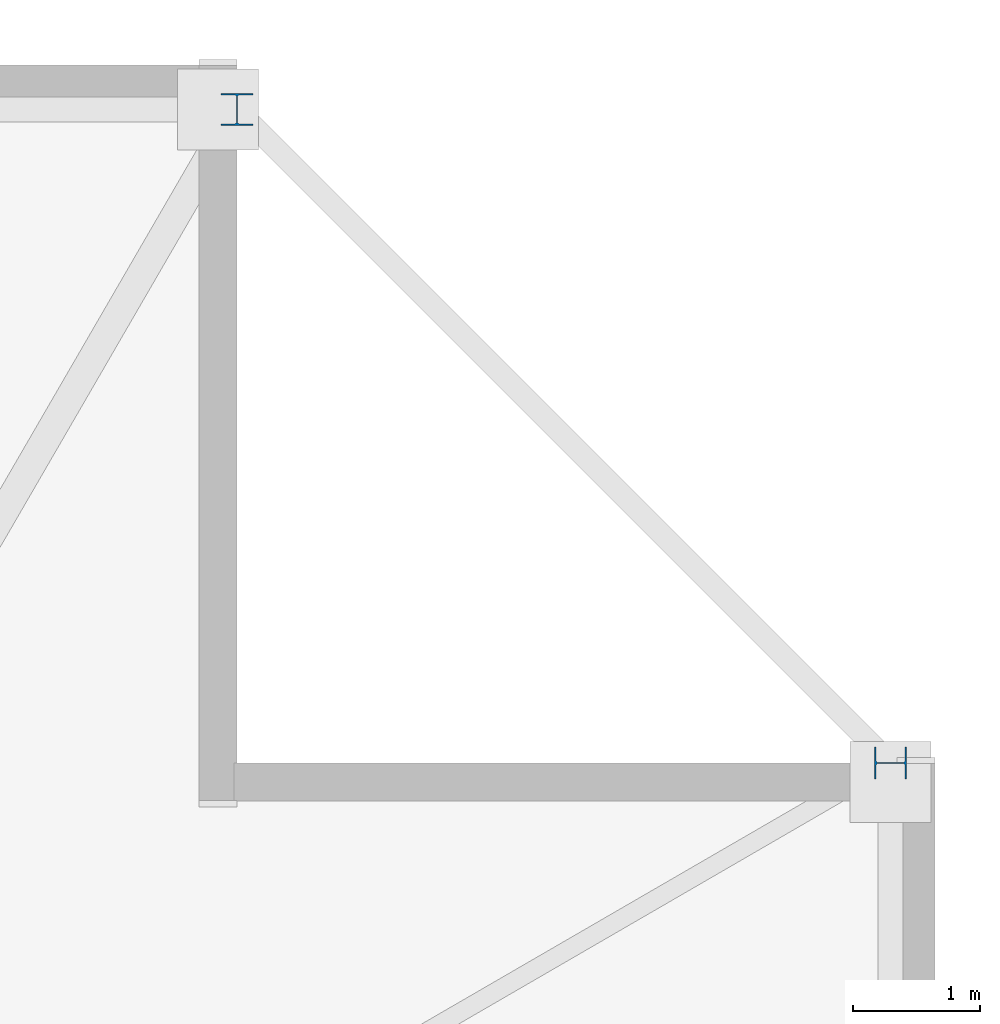
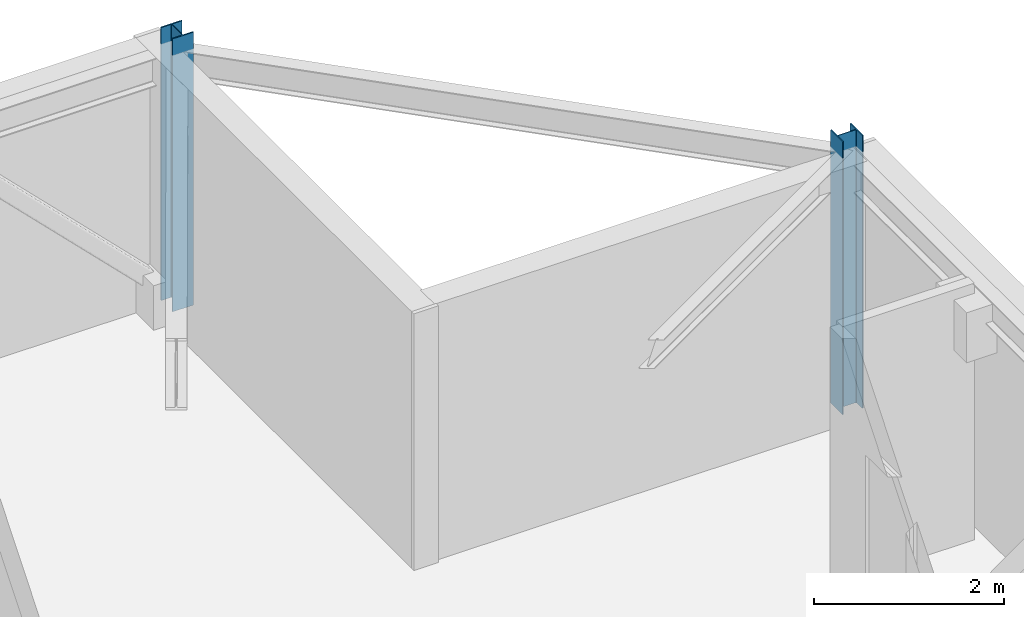
# One storey, part 5 of 14: 2 columns.
"""IFC4 building model written with IfcOpenShell, lengths in metres."""

import ifcopenshell
import ifcopenshell.guid

model = None  # the IFC model being written
_history = None  # IfcOwnerHistory: only IFC2X3 demands one
_inside = {}  # id of a spatial element -> (the spatial element, [elements in it])
_under = {}  # id of a project, library or spatial element -> (it, [spatial elements below it])
_declared = {}  # id of a project -> (the project, [libraries it declares])
_typed = {}  # id of a type object -> (the type object, [elements of that type])
_made_of = {}  # id of a material, layer set ... -> (it, [elements and type objects made of it])


def new_model(schema):
    """Start an empty IFC model of exactly this schema.

    Asked for "IFC4X3", IfcOpenShell would pick the latest addendum, in which some entities
    have other attributes; the version numbers below select the first issue.
    IFC2X3 requires an IfcOwnerHistory on every rooted entity: one is made here for all.
    """
    global model, _history
    if schema == "IFC4X3":
        model = ifcopenshell.file(schema_version=(4, 3, 0, 0))
    else:
        model = ifcopenshell.file(schema=schema)
    _inside.clear()
    _under.clear()
    _declared.clear()
    _typed.clear()
    _made_of.clear()
    _history = None
    if model.schema == "IFC2X3":
        org = make("IfcOrganization", Name="unknown")
        user = make(
            "IfcPersonAndOrganization",
            ThePerson=make("IfcPerson", FamilyName="unknown"),
            TheOrganization=org,
        )
        app = make(
            "IfcApplication",
            ApplicationDeveloper=org,
            Version="unknown",
            ApplicationFullName="unknown",
            ApplicationIdentifier="unknown",
        )
        _history = make(
            "IfcOwnerHistory",
            OwningUser=user,
            OwningApplication=app,
            ChangeAction="ADDED",
            CreationDate=0,
        )
    return model


def make(cls, **values):
    """One entity of the class cls with the attributes given. An attribute that is None is left unset."""
    return model.create_entity(
        cls, **{name: value for name, value in values.items() if value is not None}
    )


def rooted(cls, **values):
    """An entity with a GlobalId (a new one), such as an element, a storey or a relation."""
    return make(cls, GlobalId=ifcopenshell.guid.new(), OwnerHistory=_history, **values)


def si_unit(unit_type, name, prefix=None):
    """IfcSIUnit, for example si_unit("LENGTHUNIT", "METRE", prefix="MILLI")."""
    return make("IfcSIUnit", UnitType=unit_type, Prefix=prefix, Name=name)


def assignment(units):
    """IfcUnitAssignment: the units of a project."""
    return None if units is None else make("IfcUnitAssignment", Units=units)


def point(xyz):
    """IfcCartesianPoint."""
    return None if xyz is None else make("IfcCartesianPoint", Coordinates=xyz)


def direction(xyz):
    """IfcDirection."""
    return None if xyz is None else make("IfcDirection", DirectionRatios=xyz)


def frame(location, z_axis=None, x_axis=None):
    """IfcAxis2Placement3D, a coordinate frame: its origin and axes. An axis left out is left unset."""
    return make(
        "IfcAxis2Placement3D",
        Location=point(location),
        Axis=direction(z_axis),
        RefDirection=direction(x_axis),
    )


def frame_2d(location, x_axis=None):
    """IfcAxis2Placement2D, a coordinate frame in the plane: its origin and x axis."""
    return make(
        "IfcAxis2Placement2D", Location=point(location), RefDirection=direction(x_axis)
    )


def origin():
    """The frame at (0, 0, 0) with its axes left unset."""
    return frame((0.0, 0.0, 0.0))


def origin_2d():
    """The frame at (0, 0) in the plane with its x axis left unset."""
    return frame_2d((0.0, 0.0))


def place(relative_to, where):
    """IfcLocalPlacement: puts the frame where relative to a parent placement (None: the world)."""
    return make(
        "IfcLocalPlacement", PlacementRelTo=relative_to, RelativePlacement=where
    )


def context(
    kind, dimensions, precision=None, world=None, true_north=None, identifier=None
):
    """IfcGeometricRepresentationContext, for example the 3D "Model" context."""
    return make(
        "IfcGeometricRepresentationContext",
        ContextIdentifier=identifier,
        ContextType=kind,
        CoordinateSpaceDimension=dimensions,
        Precision=precision,
        WorldCoordinateSystem=world,
        TrueNorth=true_north,
    )


def subcontext(parent, identifier, kind, view, scale=None):
    """IfcGeometricRepresentationSubContext, for example "Body" below "Model"."""
    return make(
        "IfcGeometricRepresentationSubContext",
        ContextIdentifier=identifier,
        ContextType=kind,
        ParentContext=parent,
        TargetScale=scale,
        TargetView=view,
    )


def project(units=None, contexts=None):
    """IfcProject with its units and contexts."""
    return rooted(
        "IfcProject",
        Name="project",
        RepresentationContexts=contexts,
        UnitsInContext=assignment(units),
    )


def spatial(cls, under=None, at=None, **own):
    """A site, building, storey or space (cls), placed at a placement, below another one or the project."""
    s = rooted(cls, ObjectPlacement=at, **own)
    if under is not None:
        _under.setdefault(under.id(), (under, []))[1].append(s)
    return s


def profile(cls, at=None, kind="AREA", **sizes):
    """A parametric profile (cls). Its sizes go by their IFC names, for example OverallWidth=200.0."""
    return make(cls, ProfileType=kind, Position=at, **sizes)


def i_section(**sizes):
    """IfcIShapeProfileDef."""
    return profile("IfcIShapeProfileDef", **sizes)


def extrude(swept, where, along, depth):
    """IfcExtrudedAreaSolid: the profile swept, set in the frame where, extruded along a direction by depth."""
    return make(
        "IfcExtrudedAreaSolid",
        SweptArea=swept,
        Position=where,
        ExtrudedDirection=direction(along),
        Depth=depth,
    )


def shape(context_of_items, identifier, shape_type, items):
    """IfcShapeRepresentation: the items that make up one representation, for example the "Body"."""
    return make(
        "IfcShapeRepresentation",
        ContextOfItems=context_of_items,
        RepresentationIdentifier=identifier,
        RepresentationType=shape_type,
        Items=items,
    )


def material(Name=None, Category=None):
    """IfcMaterial."""
    return make("IfcMaterial", Name=Name, Category=Category)


def material_profile(
    of_material, cross_section, Name=None, Category=None, Priority=None
):
    """IfcMaterialProfile: a cross section and its material."""
    return make(
        "IfcMaterialProfile",
        Name=Name,
        Material=of_material,
        Profile=cross_section,
        Priority=Priority,
        Category=Category,
    )


def profile_set(profiles, Name=None, composite=None):
    """IfcMaterialProfileSet."""
    return make(
        "IfcMaterialProfileSet",
        Name=Name,
        MaterialProfiles=profiles,
        CompositeProfile=composite,
    )


def made_of(thing, what):
    """Note that an element or type object is made of a material, layer set ...; save() writes the relation."""
    if what is not None:
        _made_of.setdefault(what.id(), (what, []))[1].append(thing)
    return thing


def type_object(cls, material=None, **own):
    """A type object (cls), such as IfcWallType, which elements share."""
    return made_of(rooted(cls, **own), material)


def element(
    cls,
    number,
    at=None,
    inside=None,
    cuts=None,
    type_object=None,
    material=None,
    context=None,
    identifier="Body",
    shape_type=None,
    held_by="IfcProductDefinitionShape",
    body=None,
    shapes=None,
    **own,
):
    """One element of the class cls, such as IfcWall. Its Tag is "e" and its number.

    at: its placement. inside: the storey or other place that contains it. cuts: it is an
    opening in that element (IfcRelVoidsElement). A single representation is given by context,
    identifier, shape_type and body (its items); several are given by shapes. held_by: the class
    of the entity that holds the representations. save() writes the other relations.
    """
    e = rooted(cls, Tag="e%d" % number, ObjectPlacement=at, **own)
    if body is not None:
        shapes = [shape(context, identifier, shape_type, body)]
    if shapes is not None:
        e.Representation = make(held_by, Representations=shapes)
    if inside is not None:
        _inside.setdefault(inside.id(), (inside, []))[1].append(e)
    if cuts is not None:
        rooted(
            "IfcRelVoidsElement", RelatingBuildingElement=cuts, RelatedOpeningElement=e
        )
    if type_object is not None:
        _typed.setdefault(type_object.id(), (type_object, []))[1].append(e)
    return made_of(e, material)


def aggregate(whole, parts):
    """IfcRelAggregates: a whole, such as a stair, and the parts it consists of."""
    return rooted("IfcRelAggregates", RelatingObject=whole, RelatedObjects=parts)


def save(model, path):
    """Write the relations noted so far, then the file.

    IfcRelAggregates (storeys below a building ...), IfcRelContainedInSpatialStructure (elements
    in a storey), IfcRelDefinesByType, IfcRelAssociatesMaterial and IfcRelDeclares: one each for
    every whole, place, type object, material and project.
    """
    for whole, parts in _under.values():
        aggregate(whole, parts)
    for where, things in _inside.values():
        rooted(
            "IfcRelContainedInSpatialStructure",
            RelatedElements=things,
            RelatingStructure=where,
        )
    for kind, things in _typed.values():
        rooted("IfcRelDefinesByType", RelatedObjects=things, RelatingType=kind)
    for what, things in _made_of.values():
        rooted("IfcRelAssociatesMaterial", RelatedObjects=things, RelatingMaterial=what)
    for by, libraries in _declared.values():
        rooted("IfcRelDeclares", RelatingContext=by, RelatedDefinitions=libraries)
    model.write(path)


model = new_model("IFC4")

# Units and contexts
model_context = context("Model", 3, precision=1e-05, world=origin(), true_north=direction((0.0, 1.0)))
body_context = subcontext(model_context, "Body", "Model", "MODEL_VIEW")
ifc_project = project(units=[si_unit("LENGTHUNIT", "METRE"), si_unit("AREAUNIT", "SQUARE_METRE"), si_unit("VOLUMEUNIT", "CUBIC_METRE"), si_unit("PLANEANGLEUNIT", "RADIAN"), si_unit("MASSUNIT", "GRAM", prefix="KILO")], contexts=[model_context])

# Site, building, storey
site_placement = place(None, origin())
site = spatial("IfcSite", under=ifc_project, at=site_placement, CompositionType="ELEMENT")
building_placement = place(site_placement, origin())
building = spatial("IfcBuilding", under=site, at=building_placement, Name="Cairnveth Concourse Tower", CompositionType="ELEMENT")
storey_placement = place(building_placement, frame((0.0, 0.0, 301.5)))
storey = spatial("IfcBuildingStorey", under=building, at=storey_placement, Name="L83", CompositionType="ELEMENT", Elevation=301.5)

# Columns
ifc_material = material(Name="Steel Grade 350", Category="steel")
ifc_material_profile = material_profile(ifc_material, i_section(OverallWidth=0.25390625, OverallDepth=0.25390625, WebThickness=0.008544921875, FlangeThickness=0.01416015625, FilletRadius=0.012939453125, at=origin_2d()), Name="250UC72.9")
ifc_profile_set = profile_set([ifc_material_profile], Name="Steel Grade 350")
column_type = type_object("IfcColumnType", Name="UNIVERSAL STEEL COLUMN 250UC72.9", PredefinedType="COLUMN", material=ifc_profile_set)
for number, where, z_axis, x_axis, name in (
    (1, (72.64990234375, 54.5, 0.0), (0.0, 0.0, 1.0), (0.0, 1.0, 0.0), "Column P-E4 L83"),
    (2, (67.5, 59.64990234375, 0.0), (0.0, 0.0, 1.0), (1.0, 0.0, 0.0), "Column P-N1 L83"),
):
    element("IfcColumn", number, at=place(storey_placement, frame(where, z_axis=z_axis, x_axis=x_axis)), inside=storey, type_object=column_type, Name=name, PredefinedType="COLUMN", context=body_context, shape_type="SweptSolid", body=[
        extrude(i_section(OverallWidth=0.25390625, OverallDepth=0.25390625, WebThickness=0.008544921875, FlangeThickness=0.01416015625, FilletRadius=0.012939453125, at=origin_2d()), origin(), (0.0, 0.0, 1.0), 3.5),
    ])

save(model, "model.ifc")
